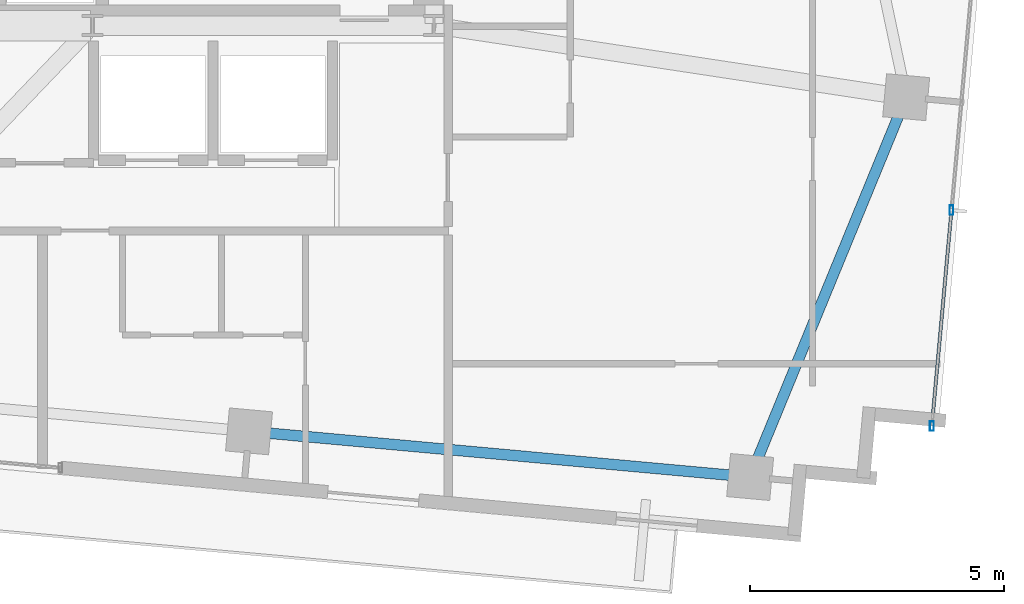
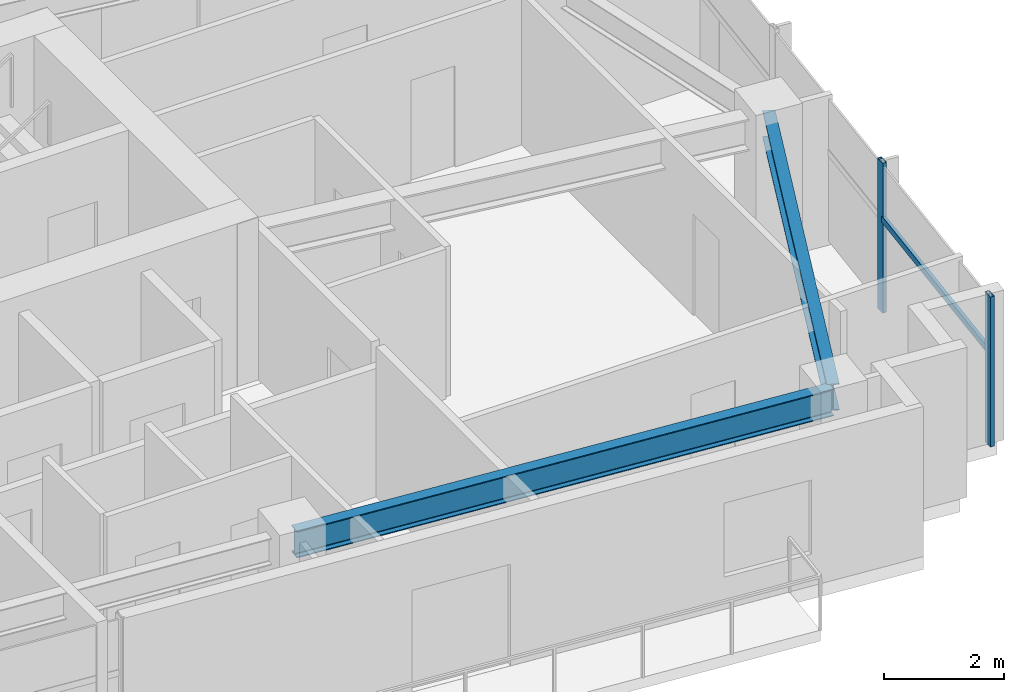
# One storey, part 12 of 22: 3 members, 2 beams, 1 element without a shape of its own.
"""IFC4 building model written with IfcOpenShell, lengths in metres."""

from ifc_helpers import new_model, si_unit, direction, frame, origin, origin_2d, place, context, subcontext, project, spatial, hollow_rectangle, i_section, extrude, source, transform, mapped, material, material_profile, profile_set, type_object, type_shapes, element, aggregate, save


model = new_model("IFC4")

# Units and contexts
model_context = context("Model", 3, precision=1e-05, world=origin(), true_north=direction((0.0, 1.0)))
body_context = subcontext(model_context, "Body", "Model", "MODEL_VIEW")
ifc_project = project(units=[si_unit("LENGTHUNIT", "METRE"), si_unit("AREAUNIT", "SQUARE_METRE"), si_unit("VOLUMEUNIT", "CUBIC_METRE"), si_unit("PLANEANGLEUNIT", "RADIAN"), si_unit("MASSUNIT", "GRAM", prefix="KILO")], contexts=[model_context])

# Site, building, storey
site_placement = place(None, origin())
site = spatial("IfcSite", under=ifc_project, at=site_placement, CompositionType="ELEMENT")
building_placement = place(site_placement, origin())
building = spatial("IfcBuilding", under=site, at=building_placement, Name="Astriad Promenade Condominiums", CompositionType="ELEMENT")
storey_placement = place(building_placement, frame((0.0, 0.0, 226.5)))
storey = spatial("IfcBuildingStorey", under=building, at=storey_placement, Name="L65", CompositionType="ELEMENT", Elevation=226.5)

# Beams
ifc_material_1 = material(Name="Steel ASTM A992 Grade 50", Category="steel")
ifc_material_profile_1 = material_profile(ifc_material_1, i_section(OverallWidth=0.210693359375, OverallDepth=0.53955078125, WebThickness=0.01171875, FlangeThickness=0.018798828125, FilletRadius=0.0166015625, at=origin_2d()), Name="W21X73")
ifc_profile_set_1 = profile_set([ifc_material_profile_1], Name="Steel ASTM A992 Grade 50")
beam_type = type_object("IfcBeamType", Name="STEEL SPANDREL BEAM W21X73", PredefinedType="SPANDREL", material=ifc_profile_set_1)
shared_shape_1 = source(origin(), body_context, "Body", "SweptSolid", [
    extrude(i_section(OverallWidth=0.210693359375, OverallDepth=0.53955078125, WebThickness=0.01171875, FlangeThickness=0.018798828125, FilletRadius=0.0166015625, at=origin_2d()), origin(), (0.0, 0.0, 1.0), 9.820068359375),
])
beam_1_placement = place(storey_placement, frame((41.99951171875, 9.410888671875, 2.770263671875), z_axis=(0.995883214993, -0.090645585088, 0.0), x_axis=(0.090645585088, 0.995883214993, 0.0)))
element("IfcBeam", 1, at=beam_1_placement, inside=storey, type_object=beam_type, Name="Perimeter Spandrel Beam SP-S4-L65", PredefinedType="SPANDREL", context=body_context, shape_type="MappedRepresentation", body=[
    mapped(shared_shape_1, transform((0.0, 0.0, 0.0), scale=1.0)),
])
shared_shape_2 = source(origin(), body_context, "Body", "SweptSolid", [
    extrude(i_section(OverallWidth=0.210693359375, OverallDepth=0.53955078125, WebThickness=0.01171875, FlangeThickness=0.018798828125, FilletRadius=0.0166015625, at=origin_2d()), origin(), (0.0, 0.0, 1.0), 7.998779296875),
])
type_shapes(beam_type, [shared_shape_1, shared_shape_2])
beam_2_placement = place(storey_placement, frame((51.833984375, 8.55419921875, 2.770263671875), z_axis=(0.38000513148, 0.924984378273, 0.0), x_axis=(-0.924984378273, 0.38000513148, 0.0)))
element("IfcBeam", 2, at=beam_2_placement, inside=storey, type_object=beam_type, Name="Perimeter Spandrel Beam SP-E1-L65", PredefinedType="SPANDREL", context=body_context, shape_type="MappedRepresentation", body=[
    mapped(shared_shape_2, transform((0.0, 0.0, 0.0), scale=1.0)),
])

# Curtain wall, members
ifc_material_2 = material(Name="Anodised aluminium Black Dark Glass Unitised", Category="aluminium")
curtain_wall_type = type_object("IfcCurtainWallType", Name="CW-B5-DARK", PredefinedType="USERDEFINED", material=ifc_material_2)
curtain_wall_placement = place(storey_placement, origin())
curtain_wall = element("IfcCurtainWall", 3, at=curtain_wall_placement, inside=storey, type_object=curtain_wall_type, Name="CW-L65-E", ObjectType="UNITISED_CURTAIN_WALL", PredefinedType="USERDEFINED")
ifc_material_3 = material(Name="Anodised aluminium 6063-T6 Black", Category="aluminium")
ifc_material_profile_2 = material_profile(ifc_material_3, hollow_rectangle(XDim=0.06494140625, YDim=0.1298828125, WallThickness=0.00390625, at=origin_2d()), Name="ALU-TRN-65X130")
ifc_profile_set_2 = profile_set([ifc_material_profile_2], Name="Anodised aluminium 6063-T6 Black")
member_type_1 = type_object("IfcMemberType", Name="TRN-ALU-TRN-65X130", PredefinedType="USERDEFINED", material=ifc_profile_set_2)
shared_shape_3 = source(origin(), body_context, "Body", "SweptSolid", [
    extrude(hollow_rectangle(XDim=0.06494140625, YDim=0.1298828125, WallThickness=0.00390625, at=origin_2d()), origin(), (0.0, 0.0, 1.0), 4.2666015625),
])
type_shapes(member_type_1, [shared_shape_3])
member_1_placement = place(storey_placement, frame((55.78076171875, 13.766357421875, 1.884765625), z_axis=(-0.090638931954, -0.99588382054, 0.0), x_axis=(0.99588382054, -0.090638931954, 0.0)))
member_1 = element("IfcMember", 4, at=member_1_placement, type_object=member_type_1, Name="CW-L65-E-TRN-02-0", ObjectType="TRANSOM", PredefinedType="USERDEFINED", context=body_context, shape_type="MappedRepresentation", body=[
    mapped(shared_shape_3, transform((0.0, 0.0, 0.0), scale=1.0)),
])
ifc_material_profile_3 = material_profile(ifc_material_3, hollow_rectangle(XDim=0.074951171875, YDim=0.18505859375, WallThickness=0.00439453125, at=origin_2d()), Name="ALU-MUL-75X185")
ifc_profile_set_3 = profile_set([ifc_material_profile_3], Name="Anodised aluminium 6063-T6 Black")
member_type_2 = type_object("IfcMemberType", Name="MUL-ALU-MUL-75X185", PredefinedType="MULLION", material=ifc_profile_set_3)
shared_shape_4 = source(origin(), body_context, "Body", "SweptSolid", [
    extrude(hollow_rectangle(XDim=0.074951171875, YDim=0.18505859375, WallThickness=0.00439453125, at=origin_2d()), origin(), (0.0, 0.0, 1.0), 3.0400390625),
])
type_shapes(member_type_2, [shared_shape_4])
member_2_placement = place(storey_placement, frame((55.78076171875, 13.766357421875, 0.0), z_axis=(0.0, 0.0, 1.0), x_axis=(1.0, 0.0, 0.0)))
member_2 = element("IfcMember", 5, at=member_2_placement, type_object=member_type_2, Name="CW-L65-E-MUL-02", PredefinedType="MULLION", context=body_context, shape_type="MappedRepresentation", body=[
    mapped(shared_shape_4, transform((0.0, 0.0, 0.0), scale=1.0)),
])
member_3_placement = place(storey_placement, frame((55.39404296875, 9.517333984375, 0.0), z_axis=(0.0, 0.0, 1.0), x_axis=(1.0, 0.0, 0.0)))
member_3 = element("IfcMember", 6, at=member_3_placement, type_object=member_type_2, Name="CW-L65-E-MUL-03", PredefinedType="MULLION", context=body_context, shape_type="MappedRepresentation", body=[
    mapped(shared_shape_4, transform((0.0, 0.0, 0.0), scale=1.0)),
])
aggregate(curtain_wall, [member_2, member_3, member_1])

save(model, "model.ifc")
